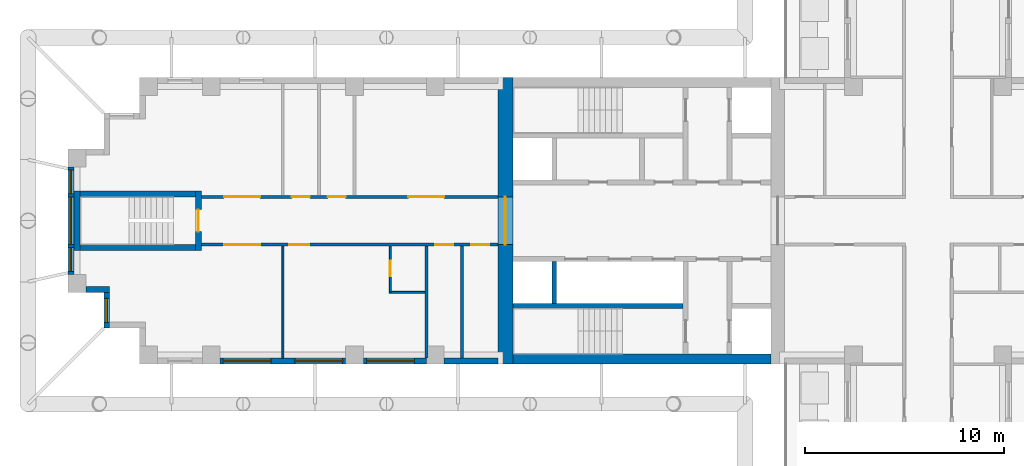
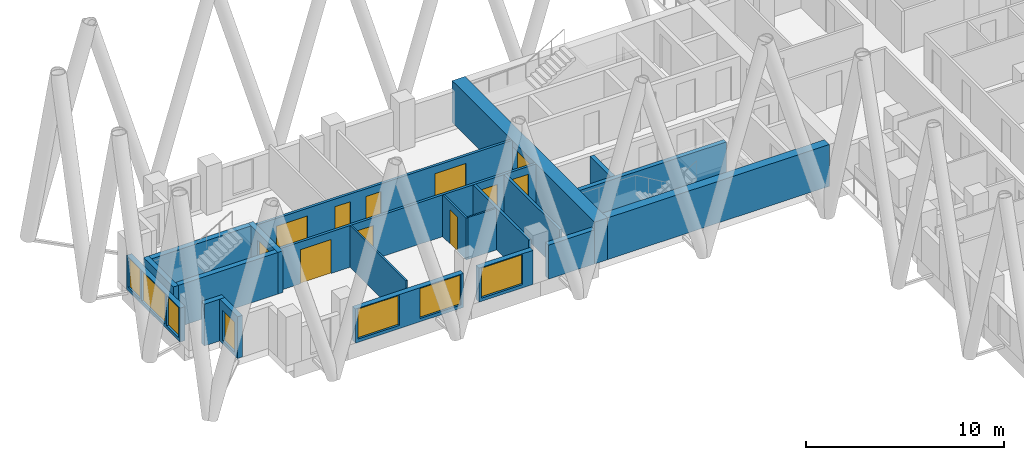
# One storey, part 5 of 14: 21 walls, 11 doors, 7 windows, 18 openings.
"""IFC4 building model written with IfcOpenShell, lengths in metres."""

from ifc_helpers import new_model, si_unit, direction, frame, frame_2d, origin, place, context, subcontext, project, spatial, rectangle, extrude, material, layer, layer_set, type_object, element, fill, save


model = new_model("IFC4")

# Units and contexts
model_context = context("Model", 3, precision=1e-05, world=origin(), true_north=direction((0.0, 1.0)))
body_context = subcontext(model_context, "Body", "Model", "MODEL_VIEW")
ifc_project = project(units=[si_unit("LENGTHUNIT", "METRE"), si_unit("AREAUNIT", "SQUARE_METRE"), si_unit("VOLUMEUNIT", "CUBIC_METRE"), si_unit("PLANEANGLEUNIT", "RADIAN"), si_unit("MASSUNIT", "GRAM", prefix="KILO")], contexts=[model_context])

# Site, building, storey
site_placement = place(None, origin())
site = spatial("IfcSite", under=ifc_project, at=site_placement, CompositionType="ELEMENT")
building_placement = place(site_placement, origin())
building = spatial("IfcBuilding", under=site, at=building_placement, Name="Fustian Cross Tower", CompositionType="ELEMENT")
storey_placement = place(building_placement, frame((0.0, 0.0, 78.89990234375)))
storey = spatial("IfcBuildingStorey", under=building, at=storey_placement, Name="L24", CompositionType="ELEMENT", Elevation=78.89990234375)

# Wall, openings, doors
ifc_material_1 = material(Name="Plasterboard on steel stud", Category="steel")
ifc_layer_1 = layer(ifc_material_1, 0.14990234375)
ifc_layer_set_1 = layer_set([ifc_layer_1], Name="Plasterboard on steel stud")
wall_type_1 = type_object("IfcWallType", Name="COMPARTMENT WALL 150 EI 60", PredefinedType="PARTITIONING", material=ifc_layer_set_1)
wall_1_placement = place(storey_placement, frame((-36.5, -1.199951171875, 0.0), z_axis=(0.0, 0.0, 1.0), x_axis=(1.0, 0.0, 0.0)))
wall_1 = element("IfcWall", 1, at=wall_1_placement, inside=storey, type_object=wall_type_1, Name="Partition 1", PredefinedType="PARTITIONING", context=body_context, shape_type="SweptSolid", body=[
    extrude(rectangle(XDim=14.89990234375, YDim=0.14990234375, at=frame_2d((7.449951171875, 0.0))), origin(), (0.0, 0.0, 1.0), 2.5751953125),
])
opening_1_placement = place(wall_1_placement, frame((13.550048828125, 0.0, 0.0)))
opening_1 = element("IfcOpeningElement", 2, at=opening_1_placement, cuts=wall_1, Name="Opening D12028", PredefinedType="OPENING", context=body_context, shape_type="SweptSolid", body=[
    extrude(rectangle(XDim=0.89990234375, YDim=2.10009765625, at=frame_2d((0.449951171875, 1.050048828125))), frame((0.0, 0.0849609375, 0.0), z_axis=(0.0, -1.0, 0.0), x_axis=(1.0, 0.0, 0.0)), (0.0, 0.0, 1.0), 0.169921875),
])
opening_2_placement = place(wall_1_placement, frame((11.75, 0.0, 0.0)))
opening_2 = element("IfcOpeningElement", 3, at=opening_2_placement, cuts=wall_1, Name="Opening D12029", PredefinedType="OPENING", context=body_context, shape_type="SweptSolid", body=[
    extrude(rectangle(XDim=0.89990234375, YDim=2.10009765625, at=frame_2d((0.449951171875, 1.050048828125))), frame((0.0, 0.0849609375, 0.0), z_axis=(0.0, -1.0, 0.0), x_axis=(1.0, 0.0, 0.0)), (0.0, 0.0, 1.0), 0.169921875),
])
opening_3_placement = place(wall_1_placement, frame((4.409912109375, 0.0, 0.0)))
opening_3 = element("IfcOpeningElement", 4, at=opening_3_placement, cuts=wall_1, Name="Opening D12031", PredefinedType="OPENING", context=body_context, shape_type="SweptSolid", body=[
    extrude(rectangle(XDim=1.0, YDim=2.10009765625, at=frame_2d((0.5, 1.050048828125))), frame((0.0, 0.0849609375, 0.0), z_axis=(0.0, -1.0, 0.0), x_axis=(1.0, 0.0, 0.0)), (0.0, 0.0, 1.0), 0.169921875),
])
opening_4_placement = place(wall_1_placement, frame((1.14990234375, 0.0, 0.0)))
opening_4 = element("IfcOpeningElement", 5, at=opening_4_placement, cuts=wall_1, Name="Opening D12032", PredefinedType="OPENING", context=body_context, shape_type="SweptSolid", body=[
    extrude(rectangle(XDim=1.800048828125, YDim=2.10009765625, at=frame_2d((0.89990234375, 1.050048828125))), frame((0.0, 0.0849609375, 0.0), z_axis=(0.0, -1.0, 0.0), x_axis=(1.0, 0.0, 0.0)), (0.0, 0.0, 1.0), 0.169921875),
])
ifc_material_2 = material(Name="Timber fire door set", Category="wood")
door_type_1 = type_object("IfcDoorType", Name="FIRE DOUBLE DOOR 1800 FD30S", OperationType="DOUBLE_DOOR_DOUBLE_SWING", PredefinedType="DOOR", material=ifc_material_2)
door_1_placement = place(opening_4_placement, origin())
door_1 = element("IfcDoor", 6, at=door_1_placement, inside=storey, type_object=door_type_1, Name="Door D12032", OperationType="DOUBLE_DOOR_DOUBLE_SWING", OverallHeight=2.10009765625, OverallWidth=1.800048828125, PredefinedType="DOOR", context=body_context, shape_type="SweptSolid", body=[
    extrude(rectangle(XDim=1.800048828125, YDim=2.10009765625, at=frame_2d((0.89990234375, 1.050048828125))), frame((0.0, 0.02490234375, 0.0), z_axis=(0.0, -1.0, 0.0), x_axis=(1.0, 0.0, 0.0)), (0.0, 0.0, 1.0), 0.050048828125),
])
fill(opening_4, door_1)
ifc_material_3 = material(Name="Timber fire door set", Category="wood")
door_type_2 = type_object("IfcDoorType", Name="FIRE SWING DOOR 1000 FD30S", OperationType="SINGLE_SWING_LEFT", PredefinedType="DOOR", material=ifc_material_3)
door_2_placement = place(opening_3_placement, frame((1.0, 0.0, 0.0), z_axis=(0.0, 0.0, 1.0), x_axis=(-1.0, 0.0, 0.0)))
door_2 = element("IfcDoor", 7, at=door_2_placement, inside=storey, type_object=door_type_2, Name="Door D12031", OperationType="SINGLE_SWING_RIGHT", OverallHeight=2.10009765625, OverallWidth=1.0, PredefinedType="DOOR", context=body_context, shape_type="SweptSolid", body=[
    extrude(rectangle(XDim=1.0, YDim=2.10009765625, at=frame_2d((0.5, 1.050048828125))), frame((0.0, 0.02490234375, 0.0), z_axis=(0.0, -1.0, 0.0), x_axis=(1.0, 0.0, 0.0)), (0.0, 0.0, 1.0), 0.050048828125),
])
fill(opening_3, door_2)
ifc_material_4 = material(Name="Timber fire door set", Category="wood")
door_type_3 = type_object("IfcDoorType", Name="FIRE SWING DOOR 900 FD30S", OperationType="SINGLE_SWING_LEFT", PredefinedType="DOOR", material=ifc_material_4)
door_3_placement = place(opening_1_placement, frame((0.89990234375, 0.0, 0.0), z_axis=(0.0, 0.0, 1.0), x_axis=(-1.0, 0.0, 0.0)))
door_3 = element("IfcDoor", 8, at=door_3_placement, inside=storey, type_object=door_type_3, Name="Door D12028", OperationType="SINGLE_SWING_LEFT", OverallHeight=2.10009765625, OverallWidth=0.89990234375, PredefinedType="DOOR", context=body_context, shape_type="SweptSolid", body=[
    extrude(rectangle(XDim=0.89990234375, YDim=2.10009765625, at=frame_2d((0.449951171875, 1.050048828125))), frame((0.0, 0.02490234375, 0.0), z_axis=(0.0, -1.0, 0.0), x_axis=(1.0, 0.0, 0.0)), (0.0, 0.0, 1.0), 0.050048828125),
])
fill(opening_1, door_3)
door_4_placement = place(opening_2_placement, frame((0.89990234375, 0.0, 0.0), z_axis=(0.0, 0.0, 1.0), x_axis=(-1.0, 0.0, 0.0)))
door_4 = element("IfcDoor", 9, at=door_4_placement, inside=storey, type_object=door_type_3, Name="Door D12029", OperationType="SINGLE_SWING_LEFT", OverallHeight=2.10009765625, OverallWidth=0.89990234375, PredefinedType="DOOR", context=body_context, shape_type="SweptSolid", body=[
    extrude(rectangle(XDim=0.89990234375, YDim=2.10009765625, at=frame_2d((0.449951171875, 1.050048828125))), frame((0.0, 0.02490234375, 0.0), z_axis=(0.0, -1.0, 0.0), x_axis=(1.0, 0.0, 0.0)), (0.0, 0.0, 1.0), 0.050048828125),
])
fill(opening_2, door_4)

wall_2_placement = place(storey_placement, frame((-36.5, 1.199951171875, 0.0), z_axis=(0.0, 0.0, 1.0), x_axis=(1.0, 0.0, 0.0)))
wall_2 = element("IfcWall", 10, at=wall_2_placement, inside=storey, type_object=wall_type_1, Name="Partition 2", PredefinedType="PARTITIONING", context=body_context, shape_type="SweptSolid", body=[
    extrude(rectangle(XDim=14.89990234375, YDim=0.14990234375, at=frame_2d((7.449951171875, 0.0))), origin(), (0.0, 0.0, 1.0), 2.5751953125),
])
opening_5_placement = place(wall_2_placement, frame((10.39990234375, 0.0, 0.0)))
opening_5 = element("IfcOpeningElement", 11, at=opening_5_placement, cuts=wall_2, Name="Opening D12033", PredefinedType="OPENING", context=body_context, shape_type="SweptSolid", body=[
    extrude(rectangle(XDim=1.800048828125, YDim=2.10009765625, at=frame_2d((0.89990234375, 1.050048828125))), frame((0.0, 0.0849609375, 0.0), z_axis=(0.0, -1.0, 0.0), x_axis=(1.0, 0.0, 0.0)), (0.0, 0.0, 1.0), 0.169921875),
])
opening_6_placement = place(wall_2_placement, frame((6.35009765625, 0.0, 0.0)))
opening_6 = element("IfcOpeningElement", 12, at=opening_6_placement, cuts=wall_2, Name="Opening D12034", PredefinedType="OPENING", context=body_context, shape_type="SweptSolid", body=[
    extrude(rectangle(XDim=0.89990234375, YDim=2.10009765625, at=frame_2d((0.449951171875, 1.050048828125))), frame((0.0, 0.0849609375, 0.0), z_axis=(0.0, -1.0, 0.0), x_axis=(1.0, 0.0, 0.0)), (0.0, 0.0, 1.0), 0.169921875),
])
opening_7_placement = place(wall_2_placement, frame((4.550048828125, 0.0, 0.0)))
opening_7 = element("IfcOpeningElement", 13, at=opening_7_placement, cuts=wall_2, Name="Opening D12035", PredefinedType="OPENING", context=body_context, shape_type="SweptSolid", body=[
    extrude(rectangle(XDim=0.89990234375, YDim=2.10009765625, at=frame_2d((0.449951171875, 1.050048828125))), frame((0.0, 0.0849609375, 0.0), z_axis=(0.0, -1.0, 0.0), x_axis=(1.0, 0.0, 0.0)), (0.0, 0.0, 1.0), 0.169921875),
])
opening_8_placement = place(wall_2_placement, frame((1.14990234375, 0.0, 0.0)))
opening_8 = element("IfcOpeningElement", 14, at=opening_8_placement, cuts=wall_2, Name="Opening D12036", PredefinedType="OPENING", context=body_context, shape_type="SweptSolid", body=[
    extrude(rectangle(XDim=1.800048828125, YDim=2.10009765625, at=frame_2d((0.89990234375, 1.050048828125))), frame((0.0, 0.0849609375, 0.0), z_axis=(0.0, -1.0, 0.0), x_axis=(1.0, 0.0, 0.0)), (0.0, 0.0, 1.0), 0.169921875),
])
door_5_placement = place(opening_5_placement, frame((1.800048828125, 0.0, 0.0), z_axis=(0.0, 0.0, 1.0), x_axis=(-1.0, 0.0, 0.0)))
door_5 = element("IfcDoor", 15, at=door_5_placement, inside=storey, type_object=door_type_1, Name="Door D12033", OperationType="DOUBLE_DOOR_DOUBLE_SWING", OverallHeight=2.10009765625, OverallWidth=1.800048828125, PredefinedType="DOOR", context=body_context, shape_type="SweptSolid", body=[
    extrude(rectangle(XDim=1.800048828125, YDim=2.10009765625, at=frame_2d((0.89990234375, 1.050048828125))), frame((0.0, 0.02490234375, 0.0), z_axis=(0.0, -1.0, 0.0), x_axis=(1.0, 0.0, 0.0)), (0.0, 0.0, 1.0), 0.050048828125),
])
fill(opening_5, door_5)
door_6_placement = place(opening_8_placement, frame((1.800048828125, 0.0, 0.0), z_axis=(0.0, 0.0, 1.0), x_axis=(-1.0, 0.0, 0.0)))
door_6 = element("IfcDoor", 16, at=door_6_placement, inside=storey, type_object=door_type_1, Name="Door D12036", OperationType="DOUBLE_DOOR_DOUBLE_SWING", OverallHeight=2.10009765625, OverallWidth=1.800048828125, PredefinedType="DOOR", context=body_context, shape_type="SweptSolid", body=[
    extrude(rectangle(XDim=1.800048828125, YDim=2.10009765625, at=frame_2d((0.89990234375, 1.050048828125))), frame((0.0, 0.02490234375, 0.0), z_axis=(0.0, -1.0, 0.0), x_axis=(1.0, 0.0, 0.0)), (0.0, 0.0, 1.0), 0.050048828125),
])
fill(opening_8, door_6)
door_7_placement = place(opening_6_placement, origin())
door_7 = element("IfcDoor", 17, at=door_7_placement, inside=storey, type_object=door_type_3, Name="Door D12034", OperationType="SINGLE_SWING_RIGHT", OverallHeight=2.10009765625, OverallWidth=0.89990234375, PredefinedType="DOOR", context=body_context, shape_type="SweptSolid", body=[
    extrude(rectangle(XDim=0.89990234375, YDim=2.10009765625, at=frame_2d((0.449951171875, 1.050048828125))), frame((0.0, 0.02490234375, 0.0), z_axis=(0.0, -1.0, 0.0), x_axis=(1.0, 0.0, 0.0)), (0.0, 0.0, 1.0), 0.050048828125),
])
fill(opening_6, door_7)
door_8_placement = place(opening_7_placement, origin())
door_8 = element("IfcDoor", 18, at=door_8_placement, inside=storey, type_object=door_type_3, Name="Door D12035", OperationType="SINGLE_SWING_RIGHT", OverallHeight=2.10009765625, OverallWidth=0.89990234375, PredefinedType="DOOR", context=body_context, shape_type="SweptSolid", body=[
    extrude(rectangle(XDim=0.89990234375, YDim=2.10009765625, at=frame_2d((0.449951171875, 1.050048828125))), frame((0.0, 0.02490234375, 0.0), z_axis=(0.0, -1.0, 0.0), x_axis=(1.0, 0.0, 0.0)), (0.0, 0.0, 1.0), 0.050048828125),
])
fill(opening_7, door_8)

# Walls
for number, where, z_axis, x_axis, name in (
    (19, (-25.199951171875, -6.89990234375, 0.0), (0.0, 0.0, 1.0), (0.0, 1.0, 0.0), "Partition 9"),
    (20, (-23.39990234375, -6.89990234375, 0.0), (0.0, 0.0, 1.0), (0.0, 1.0, 0.0), "Partition 10"),
):
    element("IfcWall", number, at=place(storey_placement, frame(where, z_axis=z_axis, x_axis=x_axis)), inside=storey, type_object=wall_type_1, Name=name, PredefinedType="PARTITIONING", context=body_context, shape_type="SweptSolid", body=[
        extrude(rectangle(XDim=5.625, YDim=0.14990234375, at=frame_2d((2.8125, 0.0))), origin(), (0.0, 0.0, 1.0), 2.5751953125),
    ])

# Wall, opening, door
ifc_material_5 = material(Name="Concrete C70/85", Category="concrete")
ifc_layer_2 = layer(ifc_material_5, 0.75)
ifc_layer_set_2 = layer_set([ifc_layer_2], Name="Concrete C70/85")
wall_type_2 = type_object("IfcWallType", Name="CORE END WALL 750 C70/85", PredefinedType="SHEAR", material=ifc_layer_set_2)
wall_3_placement = place(storey_placement, frame((-21.22509765625, -7.199951171875, 0.0), z_axis=(0.0, 0.0, 1.0), x_axis=(0.0, 1.0, 0.0)))
wall_3 = element("IfcWall", 21, at=wall_3_placement, inside=storey, type_object=wall_type_2, Name="Core end wall", PredefinedType="SHEAR", context=body_context, shape_type="SweptSolid", body=[
    extrude(rectangle(XDim=14.39990234375, YDim=0.75, at=frame_2d((7.199951171875, 0.0))), origin(), (0.0, 0.0, 1.0), 2.5751953125),
])
opening_9_placement = place(wall_3_placement, frame((6.0, 0.0, 0.0)))
opening_9 = element("IfcOpeningElement", 22, at=opening_9_placement, cuts=wall_3, Name="Opening CD-10-28", PredefinedType="OPENING", context=body_context, shape_type="SweptSolid", body=[
    extrude(rectangle(XDim=2.39990234375, YDim=2.199951171875, at=frame_2d((1.199951171875, 1.10009765625))), frame((0.0, 0.385009765625, 0.0), z_axis=(0.0, -1.0, 0.0), x_axis=(1.0, 0.0, 0.0)), (0.0, 0.0, 1.0), 0.77001953125),
])
ifc_material_6 = material(Name="Steel", Category="steel")
door_type_4 = type_object("IfcDoorType", Name="FIRE DOOR FD30S DOUBLE 2400X2200", OperationType="DOUBLE_DOOR_DOUBLE_SWING", PredefinedType="DOOR", material=ifc_material_6)
door_9_placement = place(opening_9_placement, frame((2.39990234375, 0.0, 0.0), z_axis=(0.0, 0.0, 1.0), x_axis=(-1.0, 0.0, 0.0)))
door_9 = element("IfcDoor", 23, at=door_9_placement, inside=storey, type_object=door_type_4, Name="Core door CD-10-28", OperationType="DOUBLE_DOOR_DOUBLE_SWING", OverallHeight=2.199951171875, OverallWidth=2.39990234375, PredefinedType="DOOR", context=body_context, shape_type="SweptSolid", body=[
    extrude(rectangle(XDim=2.39990234375, YDim=2.199951171875, at=frame_2d((1.199951171875, 1.10009765625))), frame((0.0, 0.02490234375, 0.0), z_axis=(0.0, -1.0, 0.0), x_axis=(1.0, 0.0, 0.0)), (0.0, 0.0, 1.0), 0.050048828125),
])
fill(opening_9, door_9)

# Walls
ifc_material_7 = material(Name="Concrete C70/85", Category="concrete")
ifc_layer_3 = layer(ifc_material_7, 0.5)
ifc_layer_set_3 = layer_set([ifc_layer_3], Name="Concrete C70/85")
wall_type_3 = type_object("IfcWallType", Name="CORE FACADE WALL 500 C70/85", PredefinedType="SHEAR", material=ifc_layer_set_3)
wall_4_placement = place(storey_placement, frame((-7.89990234375, -6.949951171875, 0.0), z_axis=(0.0, 0.0, 1.0), x_axis=(-1.0, 0.0, 0.0)))
element("IfcWall", 24, at=wall_4_placement, inside=storey, type_object=wall_type_3, Name="Core facade wall", PredefinedType="SHEAR", context=body_context, shape_type="SweptSolid", body=[
    extrude(rectangle(XDim=12.9501953125, YDim=0.5, at=frame_2d((6.47509765625, 0.0))), origin(), (0.0, 0.0, 1.0), 2.5751953125),
])
ifc_material_8 = material(Name="Concrete C50/60", Category="concrete")
ifc_layer_4 = layer(ifc_material_8, 0.25)
ifc_layer_set_4 = layer_set([ifc_layer_4], Name="Concrete C50/60")
wall_type_4 = type_object("IfcWallType", Name="CORE SHAFT WALL 250 C50/60", PredefinedType="SHEAR", material=ifc_layer_set_4)
wall_5_placement = place(storey_placement, frame((-12.300048828125, -4.27490234375, 0.0), z_axis=(0.0, 0.0, 1.0), x_axis=(-1.0, 0.0, 0.0)))
element("IfcWall", 25, at=wall_5_placement, inside=storey, type_object=wall_type_4, Name="Core shaft wall", PredefinedType="SHEAR", context=body_context, shape_type="SweptSolid", body=[
    extrude(rectangle(XDim=8.550048828125, YDim=0.25, at=frame_2d((4.27490234375, 0.0))), origin(), (0.0, 0.0, 1.0), 2.5751953125),
])
ifc_material_9 = material(Name="Plasterboard on steel stud", Category="steel")
ifc_layer_5 = layer(ifc_material_9, 0.10009765625)
ifc_layer_set_5 = layer_set([ifc_layer_5], Name="Plasterboard on steel stud")
wall_type_5 = type_object("IfcWallType", Name="PARTITION 100 STUD", PredefinedType="PARTITIONING", material=ifc_layer_set_5)
wall_6_placement = place(storey_placement, frame((-32.39990234375, -6.89990234375, 0.0), z_axis=(0.0, 0.0, 1.0), x_axis=(0.0, 1.0, 0.0)))
element("IfcWall", 26, at=wall_6_placement, inside=storey, type_object=wall_type_5, Name="Partition 3", PredefinedType="PARTITIONING", context=body_context, shape_type="SweptSolid", body=[
    extrude(rectangle(XDim=5.625, YDim=0.10009765625, at=frame_2d((2.8125, 0.0))), origin(), (0.0, 0.0, 1.0), 2.5751953125),
])

# Wall, opening, door
wall_7_placement = place(storey_placement, frame((-27.0, -3.64990234375, 0.0), z_axis=(0.0, 0.0, 1.0), x_axis=(0.0, 1.0, 0.0)))
wall_7 = element("IfcWall", 27, at=wall_7_placement, inside=storey, type_object=wall_type_5, Name="Partition 7", PredefinedType="PARTITIONING", context=body_context, shape_type="SweptSolid", body=[
    extrude(rectangle(XDim=2.375, YDim=0.10009765625, at=frame_2d((1.1875, 0.0))), origin(), (0.0, 0.0, 1.0), 2.5751953125),
])
opening_10_placement = place(wall_7_placement, frame((0.85009765625, 0.0, 0.0)))
opening_10 = element("IfcOpeningElement", 28, at=opening_10_placement, cuts=wall_7, Name="Opening D12030", PredefinedType="OPENING", context=body_context, shape_type="SweptSolid", body=[
    extrude(rectangle(XDim=0.800048828125, YDim=2.10009765625, at=frame_2d((0.39990234375, 1.050048828125))), frame((0.0, 0.06005859375, 0.0), z_axis=(0.0, -1.0, 0.0), x_axis=(1.0, 0.0, 0.0)), (0.0, 0.0, 1.0), 0.1201171875),
])
ifc_material_10 = material(Name="Painted timber", Category="wood")
door_type_5 = type_object("IfcDoorType", Name="SWING DOOR 800", OperationType="SINGLE_SWING_LEFT", PredefinedType="DOOR", material=ifc_material_10)
door_10_placement = place(opening_10_placement, frame((0.800048828125, 0.0, 0.0), z_axis=(0.0, 0.0, 1.0), x_axis=(-1.0, 0.0, 0.0)))
door_10 = element("IfcDoor", 29, at=door_10_placement, inside=storey, type_object=door_type_5, Name="Door D12030", OperationType="SINGLE_SWING_RIGHT", OverallHeight=2.10009765625, OverallWidth=0.800048828125, PredefinedType="DOOR", context=body_context, shape_type="SweptSolid", body=[
    extrude(rectangle(XDim=0.800048828125, YDim=2.10009765625, at=frame_2d((0.39990234375, 1.050048828125))), frame((0.0, 0.02490234375, 0.0), z_axis=(0.0, -1.0, 0.0), x_axis=(1.0, 0.0, 0.0)), (0.0, 0.0, 1.0), 0.050048828125),
])
fill(opening_10, door_10)

# Walls
wall_8_placement = place(storey_placement, frame((-26.949951171875, -3.60009765625, 0.0), z_axis=(0.0, 0.0, 1.0), x_axis=(1.0, 0.0, 0.0)))
element("IfcWall", 30, at=wall_8_placement, inside=storey, type_object=wall_type_5, Name="Partition 8", PredefinedType="PARTITIONING", context=body_context, shape_type="SweptSolid", body=[
    extrude(rectangle(XDim=1.675048828125, YDim=0.10009765625, at=frame_2d((0.83740234375, 0.0))), origin(), (0.0, 0.0, 1.0), 2.5751953125),
])
ifc_material_11 = material(Name="Concrete C40/50", Category="concrete")
ifc_layer_6 = layer(ifc_material_11, 0.25)
ifc_layer_set_6 = layer_set([ifc_layer_6], Name="Concrete C40/50")
wall_type_6 = type_object("IfcWallType", Name="SHAFT PARTITION WALL 250 C40/50", PredefinedType="PARTITIONING", material=ifc_layer_set_6)
wall_9_placement = place(storey_placement, frame((-18.77490234375, -2.050048828125, 0.0), z_axis=(0.0, 0.0, 1.0), x_axis=(0.0, -1.0, 0.0)))
element("IfcWall", 31, at=wall_9_placement, inside=storey, type_object=wall_type_6, Name="Core shaft wall", PredefinedType="PARTITIONING", context=body_context, shape_type="SweptSolid", body=[
    extrude(rectangle(XDim=2.099853515625, YDim=0.25, at=frame_2d((1.0498046875, 0.0))), origin(), (0.0, 0.0, 1.0), 2.5751953125),
])

# Wall, opening, door
ifc_material_12 = material(Name="Concrete C50/60", Category="concrete")
ifc_layer_7 = layer(ifc_material_12, 0.300048828125)
ifc_layer_set_7 = layer_set([ifc_layer_7], Name="Concrete C50/60")
wall_type_7 = type_object("IfcWallType", Name="STAIR ENCLOSURE WALL 300 C50/60", PredefinedType="SHEAR", material=ifc_layer_set_7)
wall_10_placement = place(storey_placement, frame((-36.64990234375, -1.5, 0.0), z_axis=(0.0, 0.0, 1.0), x_axis=(0.0, 1.0, 0.0)))
wall_10 = element("IfcWall", 32, at=wall_10_placement, inside=storey, type_object=wall_type_7, Name="Stair enclosure wall", PredefinedType="SHEAR", context=body_context, shape_type="SweptSolid", body=[
    extrude(rectangle(XDim=3.0, YDim=0.300048828125, at=frame_2d((1.5, 0.0))), origin(), (0.0, 0.0, 1.0), 2.5751953125),
])
opening_11_placement = place(wall_10_placement, frame((0.949951171875, 0.0, 0.0)))
opening_11 = element("IfcOpeningElement", 33, at=opening_11_placement, cuts=wall_10, Name="Opening CD-10-33", PredefinedType="OPENING", context=body_context, shape_type="SweptSolid", body=[
    extrude(rectangle(XDim=1.10009765625, YDim=2.10009765625, at=frame_2d((0.550048828125, 1.050048828125))), frame((0.0, 0.159912109375, 0.0), z_axis=(0.0, -1.0, 0.0), x_axis=(1.0, 0.0, 0.0)), (0.0, 0.0, 1.0), 0.320068359375),
])
ifc_material_13 = material(Name="Steel", Category="steel")
door_type_6 = type_object("IfcDoorType", Name="FIRE DOOR FD60S 1100X2100", OperationType="SINGLE_SWING_LEFT", PredefinedType="DOOR", material=ifc_material_13)
door_11_placement = place(opening_11_placement, origin())
door_11 = element("IfcDoor", 34, at=door_11_placement, inside=storey, type_object=door_type_6, Name="Core door CD-10-33", OperationType="SINGLE_SWING_LEFT", OverallHeight=2.10009765625, OverallWidth=1.10009765625, PredefinedType="DOOR", context=body_context, shape_type="SweptSolid", body=[
    extrude(rectangle(XDim=1.10009765625, YDim=2.10009765625, at=frame_2d((0.550048828125, 1.050048828125))), frame((0.0, 0.02490234375, 0.0), z_axis=(0.0, -1.0, 0.0), x_axis=(1.0, 0.0, 0.0)), (0.0, 0.0, 1.0), 0.050048828125),
])
fill(opening_11, door_11)

# Walls
wall_11_placement = place(storey_placement, frame((-42.75, -1.5, 0.0), z_axis=(0.0, 0.0, 1.0), x_axis=(0.0, 1.0, 0.0)))
element("IfcWall", 35, at=wall_11_placement, inside=storey, type_object=wall_type_7, Name="Stair enclosure wall", PredefinedType="SHEAR", context=body_context, shape_type="SweptSolid", body=[
    extrude(rectangle(XDim=3.0, YDim=0.300048828125, at=frame_2d((1.5, 0.0))), origin(), (0.0, 0.0, 1.0), 2.5751953125),
])
for number, where, z_axis, x_axis, name in (
    (36, (-36.800048828125, -1.35009765625, 0.0), (0.0, 0.0, 1.0), (-1.0, 0.0, 0.0), "Stair enclosure wall"),
    (37, (-36.800048828125, 1.35009765625, 0.0), (0.0, 0.0, 1.0), (-1.0, 0.0, 0.0), "Stair enclosure wall"),
):
    element("IfcWall", number, at=place(storey_placement, frame(where, z_axis=z_axis, x_axis=x_axis)), inside=storey, type_object=wall_type_7, Name=name, PredefinedType="SHEAR", context=body_context, shape_type="SweptSolid", body=[
        extrude(rectangle(XDim=5.800048828125, YDim=0.300048828125, at=frame_2d((2.89990234375, 0.0))), origin(), (0.0, 0.0, 1.0), 2.5751953125),
    ])

# Wall, openings, windows
ifc_material_14 = material(Name="Dark aluminium cladding on insulated backing wall", Category="aluminium")
ifc_layer_8 = layer(ifc_material_14, 0.300048828125)
ifc_layer_set_8 = layer_set([ifc_layer_8], Name="Dark aluminium cladding on insulated backing wall")
wall_type_8 = type_object("IfcWallType", Name="XW1 EXTERNAL WALL 300", PredefinedType="SOLIDWALL", material=ifc_layer_set_8)
wall_12_placement = place(storey_placement, frame((-43.050048828125, 2.699951171875, 0.0), z_axis=(0.0, 0.0, 1.0), x_axis=(0.0, -1.0, 0.0)))
wall_12 = element("IfcWall", 38, at=wall_12_placement, inside=storey, type_object=wall_type_8, Name="External wall", PredefinedType="SOLIDWALL", context=body_context, shape_type="SweptSolid", body=[
    extrude(rectangle(XDim=5.39990234375, YDim=0.300048828125, at=frame_2d((2.699951171875, 0.0))), origin(), (0.0, 0.0, 1.0), 2.10009765625),
])
opening_12_placement = place(wall_12_placement, frame((1.5, 0.0, 0.199951171875)))
opening_12 = element("IfcOpeningElement", 39, at=opening_12_placement, cuts=wall_12, Name="Opening WN1", PredefinedType="OPENING", context=body_context, shape_type="SweptSolid", body=[
    extrude(rectangle(XDim=2.39990234375, YDim=1.85009765625, at=frame_2d((1.199951171875, 0.925048828125))), frame((0.0, 0.159912109375, 0.0), z_axis=(0.0, -1.0, 0.0), x_axis=(1.0, 0.0, 0.0)), (0.0, 0.0, 1.0), 0.320068359375),
])
opening_13_placement = place(wall_12_placement, frame((0.14990234375, 0.0, 0.199951171875)))
opening_13 = element("IfcOpeningElement", 40, at=opening_13_placement, cuts=wall_12, Name="Opening WN3", PredefinedType="OPENING", context=body_context, shape_type="SweptSolid", body=[
    extrude(rectangle(XDim=1.199951171875, YDim=1.85009765625, at=frame_2d((0.60009765625, 0.925048828125))), frame((0.0, 0.159912109375, 0.0), z_axis=(0.0, -1.0, 0.0), x_axis=(1.0, 0.0, 0.0)), (0.0, 0.0, 1.0), 0.320068359375),
])
opening_14_placement = place(wall_12_placement, frame((4.050048828125, 0.0, 0.199951171875)))
opening_14 = element("IfcOpeningElement", 41, at=opening_14_placement, cuts=wall_12, Name="Opening WN3", PredefinedType="OPENING", context=body_context, shape_type="SweptSolid", body=[
    extrude(rectangle(XDim=1.199951171875, YDim=1.85009765625, at=frame_2d((0.60009765625, 0.925048828125))), frame((0.0, 0.159912109375, 0.0), z_axis=(0.0, -1.0, 0.0), x_axis=(1.0, 0.0, 0.0)), (0.0, 0.0, 1.0), 0.320068359375),
])
ifc_material_15 = material(Name="Dark anodised aluminium and double glazing", Category="aluminium")
window_type_1 = type_object("IfcWindowType", Name="WN1 WINDOW 2400X1850", PartitioningType="SINGLE_PANEL", PredefinedType="WINDOW", material=ifc_material_15)
window_1_placement = place(opening_12_placement, origin())
window_1 = element("IfcWindow", 42, at=window_1_placement, inside=storey, type_object=window_type_1, Name="Window", OverallHeight=1.85009765625, OverallWidth=2.39990234375, PartitioningType="SINGLE_PANEL", PredefinedType="WINDOW", context=body_context, shape_type="SweptSolid", body=[
    extrude(rectangle(XDim=2.39990234375, YDim=1.85009765625, at=frame_2d((1.199951171875, 0.925048828125))), frame((0.0, 0.030029296875, 0.0), z_axis=(0.0, -1.0, 0.0), x_axis=(1.0, 0.0, 0.0)), (0.0, 0.0, 1.0), 0.06005859375),
])
fill(opening_12, window_1)
ifc_material_16 = material(Name="Dark anodised aluminium and double glazing", Category="aluminium")
window_type_2 = type_object("IfcWindowType", Name="WN3 WINDOW 1200X1850", PartitioningType="SINGLE_PANEL", PredefinedType="WINDOW", material=ifc_material_16)
window_2_placement = place(opening_13_placement, origin())
window_2 = element("IfcWindow", 43, at=window_2_placement, inside=storey, type_object=window_type_2, Name="Window", OverallHeight=1.85009765625, OverallWidth=1.199951171875, PartitioningType="SINGLE_PANEL", PredefinedType="WINDOW", context=body_context, shape_type="SweptSolid", body=[
    extrude(rectangle(XDim=1.199951171875, YDim=1.85009765625, at=frame_2d((0.60009765625, 0.925048828125))), frame((0.0, 0.030029296875, 0.0), z_axis=(0.0, -1.0, 0.0), x_axis=(1.0, 0.0, 0.0)), (0.0, 0.0, 1.0), 0.06005859375),
])
fill(opening_13, window_2)
window_3_placement = place(opening_14_placement, origin())
window_3 = element("IfcWindow", 44, at=window_3_placement, inside=storey, type_object=window_type_2, Name="Window", OverallHeight=1.85009765625, OverallWidth=1.199951171875, PartitioningType="SINGLE_PANEL", PredefinedType="WINDOW", context=body_context, shape_type="SweptSolid", body=[
    extrude(rectangle(XDim=1.199951171875, YDim=1.85009765625, at=frame_2d((0.60009765625, 0.925048828125))), frame((0.0, 0.030029296875, 0.0), z_axis=(0.0, -1.0, 0.0), x_axis=(1.0, 0.0, 0.0)), (0.0, 0.0, 1.0), 0.06005859375),
])
fill(opening_14, window_3)

# Wall
wall_13_placement = place(storey_placement, frame((-42.300048828125, -3.449951171875, 0.0), z_axis=(0.0, 0.0, 1.0), x_axis=(1.0, 0.0, 0.0)))
element("IfcWall", 45, at=wall_13_placement, inside=storey, type_object=wall_type_8, Name="External wall", PredefinedType="SOLIDWALL", context=body_context, shape_type="SweptSolid", body=[
    extrude(rectangle(XDim=1.199951171875, YDim=0.300048828125, at=frame_2d((0.60009765625, 0.0))), origin(), (0.0, 0.0, 1.0), 2.5751953125),
])

# Wall, opening, window
wall_14_placement = place(storey_placement, frame((-41.25, -3.60009765625, 0.0), z_axis=(0.0, 0.0, 1.0), x_axis=(0.0, -1.0, 0.0)))
wall_14 = element("IfcWall", 46, at=wall_14_placement, inside=storey, type_object=wall_type_8, Name="External wall", PredefinedType="SOLIDWALL", context=body_context, shape_type="SweptSolid", body=[
    extrude(rectangle(XDim=1.7998046875, YDim=0.300048828125, at=frame_2d((0.89990234375, 0.0))), origin(), (0.0, 0.0, 1.0), 2.5751953125),
])
opening_15_placement = place(wall_14_placement, frame((0.300048828125, 0.0, 0.199951171875)))
opening_15 = element("IfcOpeningElement", 47, at=opening_15_placement, cuts=wall_14, Name="Opening WN3", PredefinedType="OPENING", context=body_context, shape_type="SweptSolid", body=[
    extrude(rectangle(XDim=1.199951171875, YDim=1.85009765625, at=frame_2d((0.60009765625, 0.925048828125))), frame((0.0, 0.159912109375, 0.0), z_axis=(0.0, -1.0, 0.0), x_axis=(1.0, 0.0, 0.0)), (0.0, 0.0, 1.0), 0.320068359375),
])
window_4_placement = place(opening_15_placement, origin())
window_4 = element("IfcWindow", 48, at=window_4_placement, inside=storey, type_object=window_type_2, Name="Window", OverallHeight=1.85009765625, OverallWidth=1.199951171875, PartitioningType="SINGLE_PANEL", PredefinedType="WINDOW", context=body_context, shape_type="SweptSolid", body=[
    extrude(rectangle(XDim=1.199951171875, YDim=1.85009765625, at=frame_2d((0.60009765625, 0.925048828125))), frame((0.0, 0.030029296875, 0.0), z_axis=(0.0, -1.0, 0.0), x_axis=(1.0, 0.0, 0.0)), (0.0, 0.0, 1.0), 0.06005859375),
])
fill(opening_15, window_4)

# Wall, openings, windows
wall_15_placement = place(storey_placement, frame((-35.550048828125, -7.050048828125, 0.0), z_axis=(0.0, 0.0, 1.0), x_axis=(1.0, 0.0, 0.0)))
wall_15 = element("IfcWall", 49, at=wall_15_placement, inside=storey, type_object=wall_type_8, Name="External wall", PredefinedType="SOLIDWALL", context=body_context, shape_type="SweptSolid", body=[
    extrude(rectangle(XDim=6.300048828125, YDim=0.300048828125, at=frame_2d((3.14990234375, 0.0))), origin(), (0.0, 0.0, 1.0), 2.10009765625),
])
opening_16_placement = place(wall_15_placement, frame((0.14990234375, 0.0, 0.199951171875)))
opening_16 = element("IfcOpeningElement", 50, at=opening_16_placement, cuts=wall_15, Name="Opening WN1", PredefinedType="OPENING", context=body_context, shape_type="SweptSolid", body=[
    extrude(rectangle(XDim=2.39990234375, YDim=1.85009765625, at=frame_2d((1.199951171875, 0.925048828125))), frame((0.0, 0.159912109375, 0.0), z_axis=(0.0, -1.0, 0.0), x_axis=(1.0, 0.0, 0.0)), (0.0, 0.0, 1.0), 0.320068359375),
])
opening_17_placement = place(wall_15_placement, frame((3.75, 0.0, 0.199951171875)))
opening_17 = element("IfcOpeningElement", 51, at=opening_17_placement, cuts=wall_15, Name="Opening WN1", PredefinedType="OPENING", context=body_context, shape_type="SweptSolid", body=[
    extrude(rectangle(XDim=2.39990234375, YDim=1.85009765625, at=frame_2d((1.199951171875, 0.925048828125))), frame((0.0, 0.159912109375, 0.0), z_axis=(0.0, -1.0, 0.0), x_axis=(1.0, 0.0, 0.0)), (0.0, 0.0, 1.0), 0.320068359375),
])
window_5_placement = place(opening_16_placement, origin())
window_5 = element("IfcWindow", 52, at=window_5_placement, inside=storey, type_object=window_type_1, Name="Window", OverallHeight=1.85009765625, OverallWidth=2.39990234375, PartitioningType="SINGLE_PANEL", PredefinedType="WINDOW", context=body_context, shape_type="SweptSolid", body=[
    extrude(rectangle(XDim=2.39990234375, YDim=1.85009765625, at=frame_2d((1.199951171875, 0.925048828125))), frame((0.0, 0.030029296875, 0.0), z_axis=(0.0, -1.0, 0.0), x_axis=(1.0, 0.0, 0.0)), (0.0, 0.0, 1.0), 0.06005859375),
])
fill(opening_16, window_5)
window_6_placement = place(opening_17_placement, origin())
window_6 = element("IfcWindow", 53, at=window_6_placement, inside=storey, type_object=window_type_1, Name="Window", OverallHeight=1.85009765625, OverallWidth=2.39990234375, PartitioningType="SINGLE_PANEL", PredefinedType="WINDOW", context=body_context, shape_type="SweptSolid", body=[
    extrude(rectangle(XDim=2.39990234375, YDim=1.85009765625, at=frame_2d((1.199951171875, 0.925048828125))), frame((0.0, 0.030029296875, 0.0), z_axis=(0.0, -1.0, 0.0), x_axis=(1.0, 0.0, 0.0)), (0.0, 0.0, 1.0), 0.06005859375),
])
fill(opening_17, window_6)

# Wall, opening, window
wall_16_placement = place(storey_placement, frame((-28.35009765625, -7.050048828125, 0.0), z_axis=(0.0, 0.0, 1.0), x_axis=(1.0, 0.0, 0.0)))
wall_16 = element("IfcWall", 54, at=wall_16_placement, inside=storey, type_object=wall_type_8, Name="External wall", PredefinedType="SOLIDWALL", context=body_context, shape_type="SweptSolid", body=[
    extrude(rectangle(XDim=3.150146484375, YDim=0.300048828125, at=frame_2d((1.5751953125, 0.0))), origin(), (0.0, 0.0, 1.0), 2.10009765625),
])
opening_18_placement = place(wall_16_placement, frame((0.14990234375, 0.0, 0.199951171875)))
opening_18 = element("IfcOpeningElement", 55, at=opening_18_placement, cuts=wall_16, Name="Opening WN1", PredefinedType="OPENING", context=body_context, shape_type="SweptSolid", body=[
    extrude(rectangle(XDim=2.39990234375, YDim=1.85009765625, at=frame_2d((1.199951171875, 0.925048828125))), frame((0.0, 0.159912109375, 0.0), z_axis=(0.0, -1.0, 0.0), x_axis=(1.0, 0.0, 0.0)), (0.0, 0.0, 1.0), 0.320068359375),
])
window_7_placement = place(opening_18_placement, origin())
window_7 = element("IfcWindow", 56, at=window_7_placement, inside=storey, type_object=window_type_1, Name="Window", OverallHeight=1.85009765625, OverallWidth=2.39990234375, PartitioningType="SINGLE_PANEL", PredefinedType="WINDOW", context=body_context, shape_type="SweptSolid", body=[
    extrude(rectangle(XDim=2.39990234375, YDim=1.85009765625, at=frame_2d((1.199951171875, 0.925048828125))), frame((0.0, 0.030029296875, 0.0), z_axis=(0.0, -1.0, 0.0), x_axis=(1.0, 0.0, 0.0)), (0.0, 0.0, 1.0), 0.06005859375),
])
fill(opening_18, window_7)

# Wall
wall_17_placement = place(storey_placement, frame((-24.300048828125, -7.050048828125, 0.0), z_axis=(0.0, 0.0, 1.0), x_axis=(1.0, 0.0, 0.0)))
element("IfcWall", 57, at=wall_17_placement, inside=storey, type_object=wall_type_8, Name="External wall", PredefinedType="SOLIDWALL", context=body_context, shape_type="SweptSolid", body=[
    extrude(rectangle(XDim=2.699951171875, YDim=0.300048828125, at=frame_2d((1.35009765625, 0.0))), origin(), (0.0, 0.0, 1.0), 2.10009765625),
])

save(model, "model.ifc")
